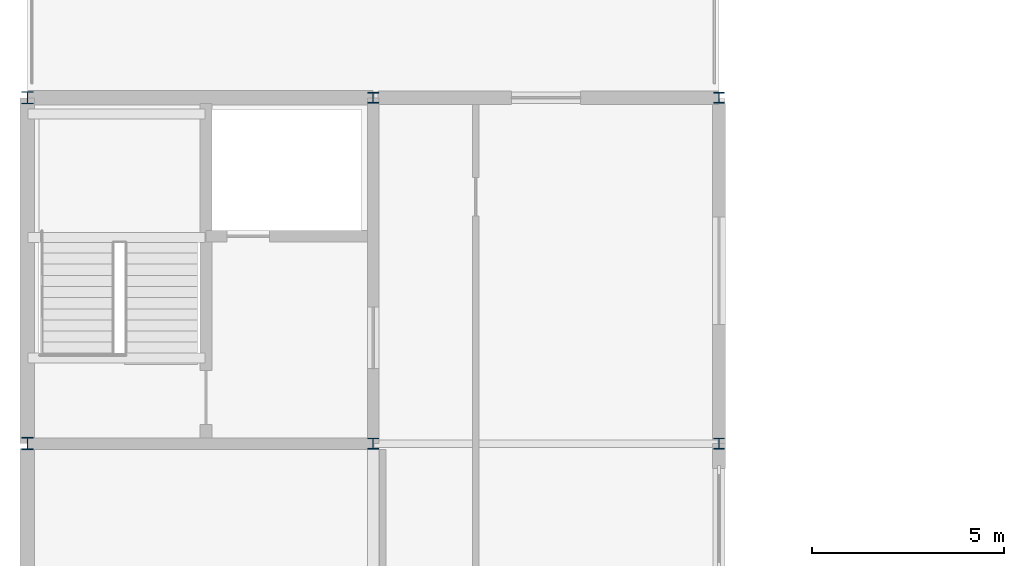
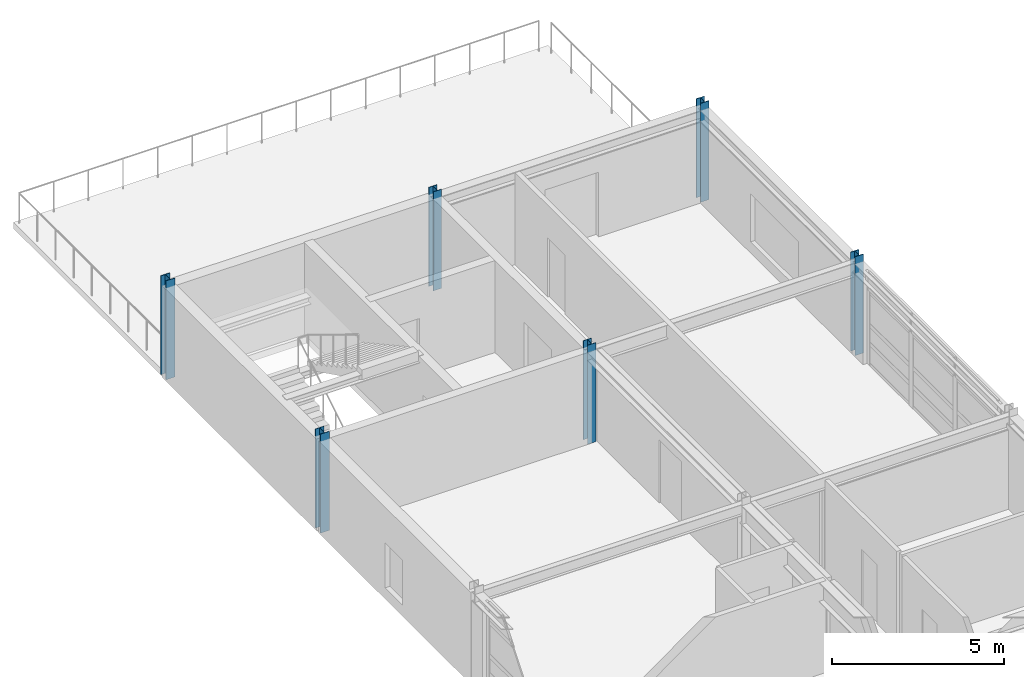
# One storey, part 3 of 11: 6 columns.
"""IFC4 building model written with IfcOpenShell, lengths in metres."""

from ifc_helpers import new_model, si_unit, direction, frame, origin, origin_2d, place, context, subcontext, project, spatial, i_section, extrude, material, material_profile, profile_set, type_object, element, save


model = new_model("IFC4")

# Units and contexts
model_context = context("Model", 3, precision=1e-05, world=origin(), true_north=direction((0.0, 1.0)))
body_context = subcontext(model_context, "Body", "Model", "MODEL_VIEW")
ifc_project = project(units=[si_unit("LENGTHUNIT", "METRE"), si_unit("AREAUNIT", "SQUARE_METRE"), si_unit("VOLUMEUNIT", "CUBIC_METRE"), si_unit("PLANEANGLEUNIT", "RADIAN"), si_unit("MASSUNIT", "GRAM", prefix="KILO")], contexts=[model_context])

# Site, building, storey
site_placement = place(None, origin())
site = spatial("IfcSite", under=ifc_project, at=site_placement, CompositionType="ELEMENT")
building_placement = place(site_placement, origin())
building = spatial("IfcBuilding", under=site, at=building_placement, Name="Palais des Congres Ocreval", CompositionType="ELEMENT")
storey_placement = place(building_placement, frame((0.0, 0.0, 26.8798828125)))
storey = spatial("IfcBuildingStorey", under=building, at=storey_placement, Name="L08", CompositionType="ELEMENT", Elevation=26.8798828125)

# Columns
ifc_material = material(Name="Steel S355", Category="steel")
ifc_material_profile_1 = material_profile(ifc_material, i_section(OverallWidth=0.280029296875, OverallDepth=0.280029296875, WebThickness=0.010498046875, FlangeThickness=0.01806640625, at=origin_2d()), Name="HEB 280")
ifc_profile_set_1 = profile_set([ifc_material_profile_1], Name="Steel S355")
column_type_1 = type_object("IfcColumnType", Name="Column HEB 280 Steel S355", PredefinedType="COLUMN", material=ifc_profile_set_1)
for number, where, z_axis, x_axis, name in (
    (1, (9.0, 36.0, 0.0), (0.0, 0.0, 1.0), (1.0, 0.0, 0.0), "Column C13 L08"),
    (2, (9.0, 45.0, 0.0), (0.0, 0.0, 1.0), (1.0, 0.0, 0.0), "Column C13 L08"),
    (3, (18.0, 36.0, 0.0), (0.0, 0.0, 1.0), (1.0, 0.0, 0.0), "Column C13 L08"),
    (4, (18.0, 45.0, 0.0), (0.0, 0.0, 1.0), (1.0, 0.0, 0.0), "Column C13 L08"),
):
    element("IfcColumn", number, at=place(storey_placement, frame(where, z_axis=z_axis, x_axis=x_axis)), inside=storey, type_object=column_type_1, Name=name, PredefinedType="COLUMN", context=body_context, shape_type="SweptSolid", body=[
        extrude(i_section(OverallWidth=0.280029296875, OverallDepth=0.280029296875, WebThickness=0.010498046875, FlangeThickness=0.01806640625, at=origin_2d()), origin(), (0.0, 0.0, 1.0), 3.52001953125),
    ])
ifc_material_profile_2 = material_profile(ifc_material, i_section(OverallWidth=0.300048828125, OverallDepth=0.320068359375, WebThickness=0.011474609375, FlangeThickness=0.0205078125, at=origin_2d()), Name="HEB 320")
ifc_profile_set_2 = profile_set([ifc_material_profile_2], Name="Steel S355")
column_type_2 = type_object("IfcColumnType", Name="Column HEB 320 Steel S355", PredefinedType="COLUMN", material=ifc_profile_set_2)
for number, where, z_axis, x_axis, name in (
    (5, (0.0, 36.0, 0.0), (0.0, 0.0, 1.0), (1.0, 0.0, 0.0), "Column C12 L08"),
    (6, (0.0, 45.0, 0.0), (0.0, 0.0, 1.0), (1.0, 0.0, 0.0), "Column C12 L08"),
):
    element("IfcColumn", number, at=place(storey_placement, frame(where, z_axis=z_axis, x_axis=x_axis)), inside=storey, type_object=column_type_2, Name=name, PredefinedType="COLUMN", context=body_context, shape_type="SweptSolid", body=[
        extrude(i_section(OverallWidth=0.300048828125, OverallDepth=0.320068359375, WebThickness=0.011474609375, FlangeThickness=0.0205078125, at=origin_2d()), origin(), (0.0, 0.0, 1.0), 3.52001953125),
    ])

save(model, "model.ifc")
